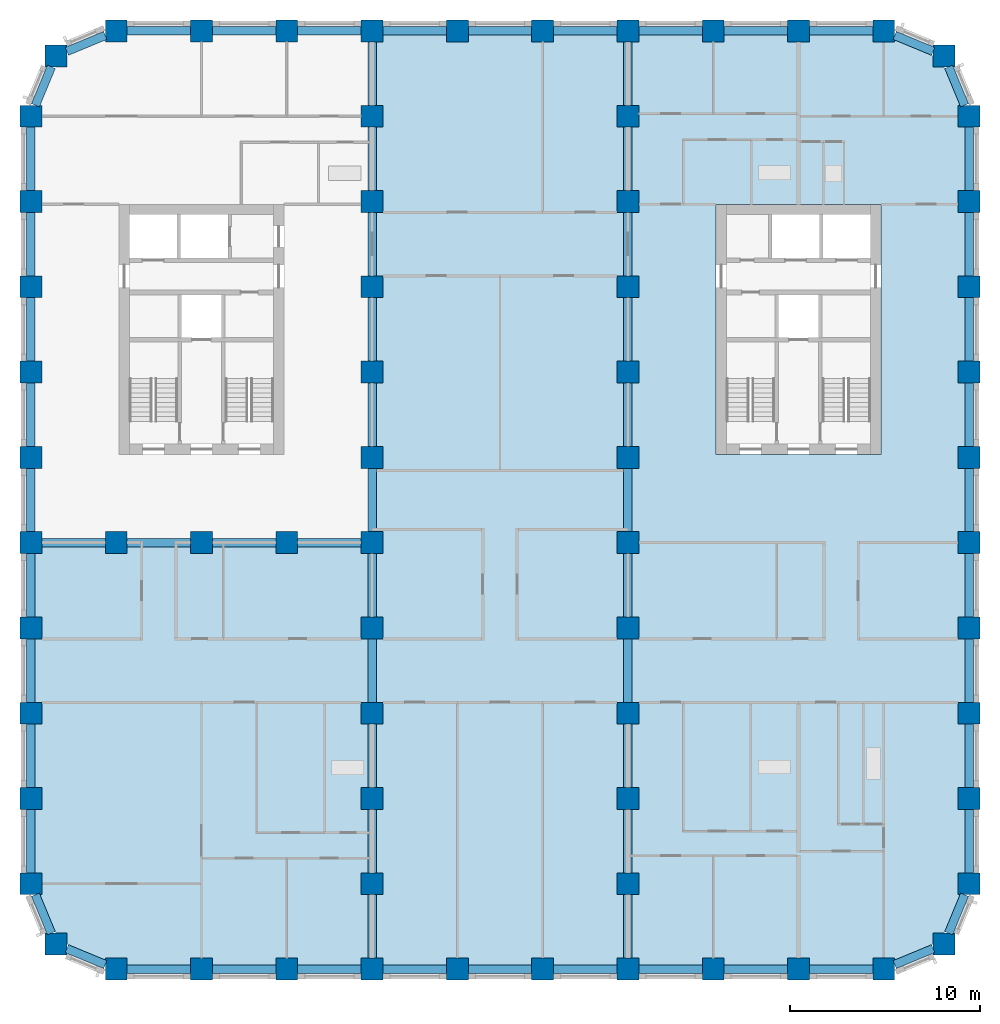
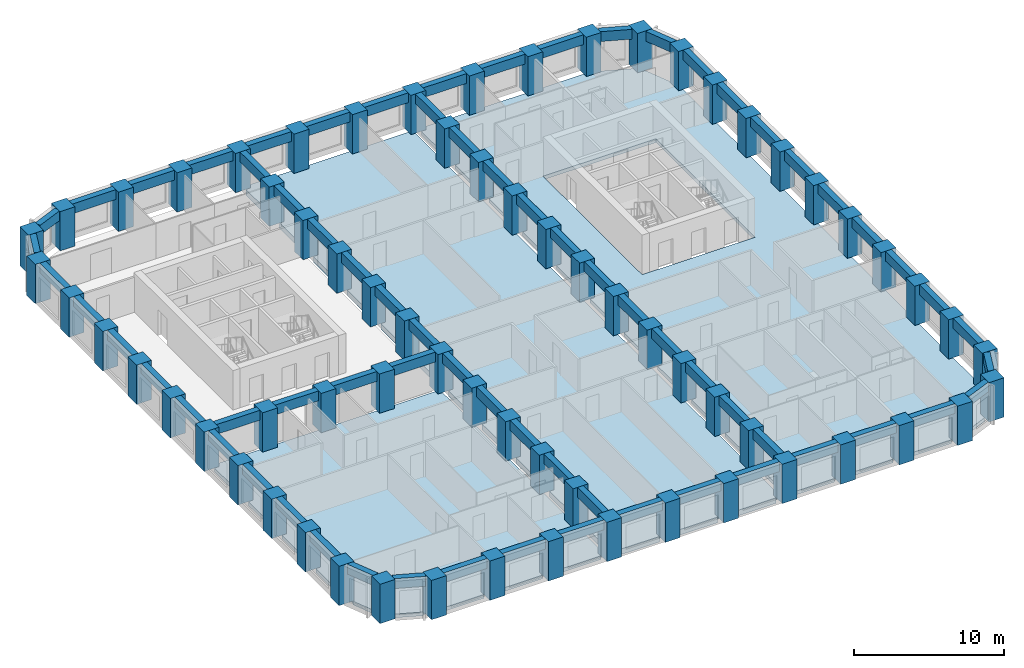
# One storey, part 1 of 12: 70 beams, 67 columns, 3 slabs.
"""IFC4 building model written with IfcOpenShell, lengths in metres."""

from ifc_helpers import new_model, si_unit, direction, frame, origin, origin_2d, place, context, subcontext, project, spatial, polyline, rectangle, outline, extrude, material, layer, layer_set, material_profile, profile_set, type_object, element, save


model = new_model("IFC4")

# Units and contexts
model_context = context("Model", 3, precision=1e-05, world=origin(), true_north=direction((0.0, 1.0)))
body_context = subcontext(model_context, "Body", "Model", "MODEL_VIEW")
ifc_project = project(units=[si_unit("LENGTHUNIT", "METRE"), si_unit("AREAUNIT", "SQUARE_METRE"), si_unit("VOLUMEUNIT", "CUBIC_METRE"), si_unit("PLANEANGLEUNIT", "RADIAN"), si_unit("MASSUNIT", "GRAM", prefix="KILO")], contexts=[model_context])

# Site, building, storey
site_placement = place(None, origin())
site = spatial("IfcSite", under=ifc_project, at=site_placement, CompositionType="ELEMENT")
building_placement = place(site_placement, origin())
building = spatial("IfcBuilding", under=site, at=building_placement, Name="Girih Gate Residences", CompositionType="ELEMENT")
storey_placement = place(building_placement, frame((0.0, 0.0, 121.60009765625)))
storey = spatial("IfcBuildingStorey", under=building, at=storey_placement, Name="L34", CompositionType="ELEMENT", Elevation=121.60009765625)

# Columns
ifc_material_1 = material(Name="Concrete C80/95", Category="concrete")
ifc_material_profile_1 = material_profile(ifc_material_1, rectangle(XDim=1.14990234375, YDim=1.14990234375, at=origin_2d()))
ifc_profile_set_1 = profile_set([ifc_material_profile_1], Name="Concrete C80/95")
column_type = type_object("IfcColumnType", Name="Pier RC 1150x1150 Concrete C80/95", PredefinedType="COLUMN", material=ifc_profile_set_1)
for number, where, z_axis, x_axis, name in (
    (1, (4.5, 0.0, 0.0), (0.0, 0.0, 1.0), (1.0, 0.0, 0.0), "Pier P2A L34"),
    (2, (9.0, 0.0, 0.0), (0.0, 0.0, 1.0), (1.0, 0.0, 0.0), "Pier P3A L34"),
    (3, (13.5, 0.0, 0.0), (0.0, 0.0, 1.0), (1.0, 0.0, 0.0), "Pier P4A L34"),
    (4, (18.0, 0.0, 0.0), (0.0, 0.0, 1.0), (1.0, 0.0, 0.0), "Pier P5A L34"),
    (5, (22.5, 0.0, 0.0), (0.0, 0.0, 1.0), (1.0, 0.0, 0.0), "Pier P6A L34"),
    (6, (27.0, 0.0, 0.0), (0.0, 0.0, 1.0), (1.0, 0.0, 0.0), "Pier P7A L34"),
    (7, (31.5, 0.0, 0.0), (0.0, 0.0, 1.0), (1.0, 0.0, 0.0), "Pier P8A L34"),
    (8, (36.0, 0.0, 0.0), (0.0, 0.0, 1.0), (1.0, 0.0, 0.0), "Pier P9A L34"),
    (9, (40.5, 0.0, 0.0), (0.0, 0.0, 1.0), (1.0, 0.0, 0.0), "Pier P10A L34"),
    (10, (45.0, 0.0, 0.0), (0.0, 0.0, 1.0), (1.0, 0.0, 0.0), "Pier P11A L34"),
    (11, (1.318115234375, 1.318115234375, 0.0), (0.0, 0.0, 1.0), (1.0, 0.0, 0.0), "Pier P1ANE L34"),
    (12, (48.181884765625, 1.318115234375, 0.0), (0.0, 0.0, 1.0), (1.0, 0.0, 0.0), "Pier P12ANW L34"),
    (13, (0.0, 4.5, 0.0), (0.0, 0.0, 1.0), (1.0, 0.0, 0.0), "Pier P1B L34"),
    (14, (18.0, 4.5, 0.0), (0.0, 0.0, 1.0), (1.0, 0.0, 0.0), "Pier P5B L34"),
    (15, (31.5, 4.5, 0.0), (0.0, 0.0, 1.0), (1.0, 0.0, 0.0), "Pier P8B L34"),
    (16, (49.5, 4.5, 0.0), (0.0, 0.0, 1.0), (1.0, 0.0, 0.0), "Pier P12B L34"),
    (17, (0.0, 9.0, 0.0), (0.0, 0.0, 1.0), (1.0, 0.0, 0.0), "Pier P1C L34"),
    (18, (18.0, 9.0, 0.0), (0.0, 0.0, 1.0), (1.0, 0.0, 0.0), "Pier P5C L34"),
    (19, (31.5, 9.0, 0.0), (0.0, 0.0, 1.0), (1.0, 0.0, 0.0), "Pier P8C L34"),
    (20, (49.5, 9.0, 0.0), (0.0, 0.0, 1.0), (1.0, 0.0, 0.0), "Pier P12C L34"),
    (21, (0.0, 13.5, 0.0), (0.0, 0.0, 1.0), (1.0, 0.0, 0.0), "Pier P1D L34"),
    (22, (18.0, 13.5, 0.0), (0.0, 0.0, 1.0), (1.0, 0.0, 0.0), "Pier P5D L34"),
    (23, (31.5, 13.5, 0.0), (0.0, 0.0, 1.0), (1.0, 0.0, 0.0), "Pier P8D L34"),
    (24, (49.5, 13.5, 0.0), (0.0, 0.0, 1.0), (1.0, 0.0, 0.0), "Pier P12D L34"),
    (25, (0.0, 18.0, 0.0), (0.0, 0.0, 1.0), (1.0, 0.0, 0.0), "Pier P1E L34"),
    (26, (18.0, 18.0, 0.0), (0.0, 0.0, 1.0), (1.0, 0.0, 0.0), "Pier P5E L34"),
    (27, (31.5, 18.0, 0.0), (0.0, 0.0, 1.0), (1.0, 0.0, 0.0), "Pier P8E L34"),
    (28, (49.5, 18.0, 0.0), (0.0, 0.0, 1.0), (1.0, 0.0, 0.0), "Pier P12E L34"),
    (29, (0.0, 22.5, 0.0), (0.0, 0.0, 1.0), (1.0, 0.0, 0.0), "Pier P1F L34"),
    (30, (4.5, 22.5, 0.0), (0.0, 0.0, 1.0), (1.0, 0.0, 0.0), "Pier P2F L34"),
    (31, (9.0, 22.5, 0.0), (0.0, 0.0, 1.0), (1.0, 0.0, 0.0), "Pier P3F L34"),
    (32, (13.5, 22.5, 0.0), (0.0, 0.0, 1.0), (1.0, 0.0, 0.0), "Pier P4F L34"),
    (33, (18.0, 22.5, 0.0), (0.0, 0.0, 1.0), (1.0, 0.0, 0.0), "Pier P5F L34"),
    (34, (31.5, 22.5, 0.0), (0.0, 0.0, 1.0), (1.0, 0.0, 0.0), "Pier P8F L34"),
    (35, (49.5, 22.5, 0.0), (0.0, 0.0, 1.0), (1.0, 0.0, 0.0), "Pier P12F L34"),
    (36, (0.0, 27.0, 0.0), (0.0, 0.0, 1.0), (1.0, 0.0, 0.0), "Pier P1G L34"),
    (37, (18.0, 27.0, 0.0), (0.0, 0.0, 1.0), (1.0, 0.0, 0.0), "Pier P5G L34"),
    (38, (31.5, 27.0, 0.0), (0.0, 0.0, 1.0), (1.0, 0.0, 0.0), "Pier P8G L34"),
    (39, (49.5, 27.0, 0.0), (0.0, 0.0, 1.0), (1.0, 0.0, 0.0), "Pier P12G L34"),
    (40, (0.0, 31.5, 0.0), (0.0, 0.0, 1.0), (1.0, 0.0, 0.0), "Pier P1H L34"),
    (41, (18.0, 31.5, 0.0), (0.0, 0.0, 1.0), (1.0, 0.0, 0.0), "Pier P5H L34"),
    (42, (31.5, 31.5, 0.0), (0.0, 0.0, 1.0), (1.0, 0.0, 0.0), "Pier P8H L34"),
    (43, (49.5, 31.5, 0.0), (0.0, 0.0, 1.0), (1.0, 0.0, 0.0), "Pier P12H L34"),
    (44, (0.0, 36.0, 0.0), (0.0, 0.0, 1.0), (1.0, 0.0, 0.0), "Pier P1I L34"),
    (45, (18.0, 36.0, 0.0), (0.0, 0.0, 1.0), (1.0, 0.0, 0.0), "Pier P5I L34"),
    (46, (31.5, 36.0, 0.0), (0.0, 0.0, 1.0), (1.0, 0.0, 0.0), "Pier P8I L34"),
    (47, (49.5, 36.0, 0.0), (0.0, 0.0, 1.0), (1.0, 0.0, 0.0), "Pier P12I L34"),
    (48, (0.0, 40.5, 0.0), (0.0, 0.0, 1.0), (1.0, 0.0, 0.0), "Pier P1J L34"),
    (49, (18.0, 40.5, 0.0), (0.0, 0.0, 1.0), (1.0, 0.0, 0.0), "Pier P5J L34"),
    (50, (31.5, 40.5, 0.0), (0.0, 0.0, 1.0), (1.0, 0.0, 0.0), "Pier P8J L34"),
    (51, (49.5, 40.5, 0.0), (0.0, 0.0, 1.0), (1.0, 0.0, 0.0), "Pier P12J L34"),
    (52, (0.0, 45.0, 0.0), (0.0, 0.0, 1.0), (1.0, 0.0, 0.0), "Pier P1K L34"),
    (53, (18.0, 45.0, 0.0), (0.0, 0.0, 1.0), (1.0, 0.0, 0.0), "Pier P5K L34"),
    (54, (31.5, 45.0, 0.0), (0.0, 0.0, 1.0), (1.0, 0.0, 0.0), "Pier P8K L34"),
    (55, (49.5, 45.0, 0.0), (0.0, 0.0, 1.0), (1.0, 0.0, 0.0), "Pier P12K L34"),
    (56, (1.318115234375, 48.181884765625, 0.0), (0.0, 0.0, 1.0), (1.0, 0.0, 0.0), "Pier P1LSE L34"),
    (57, (48.181884765625, 48.181884765625, 0.0), (0.0, 0.0, 1.0), (1.0, 0.0, 0.0), "Pier P12LSW L34"),
    (58, (4.5, 49.5, 0.0), (0.0, 0.0, 1.0), (1.0, 0.0, 0.0), "Pier P2L L34"),
    (59, (9.0, 49.5, 0.0), (0.0, 0.0, 1.0), (1.0, 0.0, 0.0), "Pier P3L L34"),
    (60, (13.5, 49.5, 0.0), (0.0, 0.0, 1.0), (1.0, 0.0, 0.0), "Pier P4L L34"),
    (61, (18.0, 49.5, 0.0), (0.0, 0.0, 1.0), (1.0, 0.0, 0.0), "Pier P5L L34"),
    (62, (22.5, 49.5, 0.0), (0.0, 0.0, 1.0), (1.0, 0.0, 0.0), "Pier P6L L34"),
    (63, (27.0, 49.5, 0.0), (0.0, 0.0, 1.0), (1.0, 0.0, 0.0), "Pier P7L L34"),
    (64, (31.5, 49.5, 0.0), (0.0, 0.0, 1.0), (1.0, 0.0, 0.0), "Pier P8L L34"),
    (65, (36.0, 49.5, 0.0), (0.0, 0.0, 1.0), (1.0, 0.0, 0.0), "Pier P9L L34"),
    (66, (40.5, 49.5, 0.0), (0.0, 0.0, 1.0), (1.0, 0.0, 0.0), "Pier P10L L34"),
    (67, (45.0, 49.5, 0.0), (0.0, 0.0, 1.0), (1.0, 0.0, 0.0), "Pier P11L L34"),
):
    element("IfcColumn", number, at=place(storey_placement, frame(where, z_axis=z_axis, x_axis=x_axis)), inside=storey, type_object=column_type, Name=name, PredefinedType="COLUMN", context=body_context, shape_type="SweptSolid", body=[
        extrude(rectangle(XDim=1.14990234375, YDim=1.14990234375, at=origin_2d()), origin(), (0.0, 0.0, 1.0), 3.199951171875),
    ])

# Beams
ifc_material_2 = material(Name="Concrete C60/75", Category="concrete")
ifc_material_profile_2 = material_profile(ifc_material_2, rectangle(XDim=0.449951171875, YDim=0.800048828125, at=origin_2d()))
ifc_profile_set_2 = profile_set([ifc_material_profile_2], Name="Concrete C60/75")
beam_type = type_object("IfcBeamType", Name="Spandrel girder RC 450x800 Concrete C60/75", PredefinedType="BEAM", material=ifc_profile_set_2)
for number, where, z_axis, x_axis, name in (
    (68, (0.23828125, 3.925048828125, 2.7998046875), (0.382636106589, -0.92389913407, 0.0), (0.92389913407, 0.382636106589, 0.0), "Spandrel girder SP-P1B-P1ANE L34"),
    (69, (1.89306640625, 1.079833984375, 2.7998046875), (0.92389913407, -0.382636106589, 0.0), (0.382636106589, 0.92389913407, 0.0), "Spandrel girder SP-P1ANE-P2A L34"),
):
    element("IfcBeam", number, at=place(storey_placement, frame(where, z_axis=z_axis, x_axis=x_axis)), inside=storey, type_object=beam_type, Name=name, PredefinedType="BEAM", context=body_context, shape_type="SweptSolid", body=[
        extrude(rectangle(XDim=0.449951171875, YDim=0.800048828125, at=origin_2d()), origin(), (0.0, 0.0, 1.0), 2.199462890625),
    ])
for number, where, z_axis, x_axis, name in (
    (70, (5.074951171875, 0.0, 2.7998046875), (1.0, 0.0, 0.0), (0.0, 1.0, 0.0), "Spandrel girder SP-P2A-P3A L34"),
    (71, (9.574951171875, 0.0, 2.7998046875), (1.0, 0.0, 0.0), (0.0, 1.0, 0.0), "Spandrel girder SP-P3A-P4A L34"),
    (72, (14.074951171875, 0.0, 2.7998046875), (1.0, 0.0, 0.0), (0.0, 1.0, 0.0), "Spandrel girder SP-P4A-P5A L34"),
    (73, (18.574951171875, 0.0, 2.7998046875), (1.0, 0.0, 0.0), (0.0, 1.0, 0.0), "Spandrel girder SP-P5A-P6A L34"),
    (74, (23.074951171875, 0.0, 2.7998046875), (1.0, 0.0, 0.0), (0.0, 1.0, 0.0), "Spandrel girder SP-P6A-P7A L34"),
    (75, (27.574951171875, 0.0, 2.7998046875), (1.0, 0.0, 0.0), (0.0, 1.0, 0.0), "Spandrel girder SP-P7A-P8A L34"),
    (76, (32.074951171875, 0.0, 2.7998046875), (1.0, 0.0, 0.0), (0.0, 1.0, 0.0), "Spandrel girder SP-P8A-P9A L34"),
    (77, (36.574951171875, 0.0, 2.7998046875), (1.0, 0.0, 0.0), (0.0, 1.0, 0.0), "Spandrel girder SP-P9A-P10A L34"),
    (78, (41.074951171875, 0.0, 2.7998046875), (1.0, 0.0, 0.0), (0.0, 1.0, 0.0), "Spandrel girder SP-P10A-P11A L34"),
):
    element("IfcBeam", number, at=place(storey_placement, frame(where, z_axis=z_axis, x_axis=x_axis)), inside=storey, type_object=beam_type, Name=name, PredefinedType="BEAM", context=body_context, shape_type="SweptSolid", body=[
        extrude(rectangle(XDim=0.449951171875, YDim=0.800048828125, at=origin_2d()), origin(), (0.0, 0.0, 1.0), 3.35009765625),
    ])
for number, where, z_axis, x_axis, name in (
    (79, (45.574951171875, 0.23828125, 2.7998046875), (0.92389913407, 0.382636106589, 0.0), (-0.382636106589, 0.92389913407, 0.0), "Spandrel girder SP-P11A-P12ANW L34"),
    (80, (48.420166015625, 1.89306640625, 2.7998046875), (0.382636106589, 0.92389913407, 0.0), (-0.92389913407, 0.382636106589, 0.0), "Spandrel girder SP-P12ANW-P12B L34"),
):
    element("IfcBeam", number, at=place(storey_placement, frame(where, z_axis=z_axis, x_axis=x_axis)), inside=storey, type_object=beam_type, Name=name, PredefinedType="BEAM", context=body_context, shape_type="SweptSolid", body=[
        extrude(rectangle(XDim=0.449951171875, YDim=0.800048828125, at=origin_2d()), origin(), (0.0, 0.0, 1.0), 2.199462890625),
    ])
for number, where, z_axis, x_axis, name in (
    (81, (49.5, 5.074951171875, 2.7998046875), (0.0, 1.0, 0.0), (-1.0, 0.0, 0.0), "Spandrel girder SP-P12B-P12C L34"),
    (82, (49.5, 9.574951171875, 2.7998046875), (0.0, 1.0, 0.0), (-1.0, 0.0, 0.0), "Spandrel girder SP-P12C-P12D L34"),
    (83, (49.5, 14.074951171875, 2.7998046875), (0.0, 1.0, 0.0), (-1.0, 0.0, 0.0), "Spandrel girder SP-P12D-P12E L34"),
    (84, (49.5, 18.574951171875, 2.7998046875), (0.0, 1.0, 0.0), (-1.0, 0.0, 0.0), "Spandrel girder SP-P12E-P12F L34"),
    (85, (49.5, 23.074951171875, 2.7998046875), (0.0, 1.0, 0.0), (-1.0, 0.0, 0.0), "Spandrel girder SP-P12F-P12G L34"),
    (86, (49.5, 27.574951171875, 2.7998046875), (0.0, 1.0, 0.0), (-1.0, 0.0, 0.0), "Spandrel girder SP-P12G-P12H L34"),
    (87, (49.5, 32.074951171875, 2.7998046875), (0.0, 1.0, 0.0), (-1.0, 0.0, 0.0), "Spandrel girder SP-P12H-P12I L34"),
    (88, (49.5, 36.574951171875, 2.7998046875), (0.0, 1.0, 0.0), (-1.0, 0.0, 0.0), "Spandrel girder SP-P12I-P12J L34"),
    (89, (49.5, 41.074951171875, 2.7998046875), (0.0, 1.0, 0.0), (-1.0, 0.0, 0.0), "Spandrel girder SP-P12J-P12K L34"),
):
    element("IfcBeam", number, at=place(storey_placement, frame(where, z_axis=z_axis, x_axis=x_axis)), inside=storey, type_object=beam_type, Name=name, PredefinedType="BEAM", context=body_context, shape_type="SweptSolid", body=[
        extrude(rectangle(XDim=0.449951171875, YDim=0.800048828125, at=origin_2d()), origin(), (0.0, 0.0, 1.0), 3.35009765625),
    ])
for number, where, z_axis, x_axis, name in (
    (90, (49.26171875, 45.574951171875, 2.7998046875), (-0.382636106589, 0.92389913407, 0.0), (-0.92389913407, -0.382636106589, 0.0), "Spandrel girder SP-P12K-P12LSW L34"),
    (91, (47.60693359375, 48.420166015625, 2.7998046875), (-0.92389913407, 0.382636106589, 0.0), (-0.382636106589, -0.92389913407, 0.0), "Spandrel girder SP-P12LSW-P11L L34"),
):
    element("IfcBeam", number, at=place(storey_placement, frame(where, z_axis=z_axis, x_axis=x_axis)), inside=storey, type_object=beam_type, Name=name, PredefinedType="BEAM", context=body_context, shape_type="SweptSolid", body=[
        extrude(rectangle(XDim=0.449951171875, YDim=0.800048828125, at=origin_2d()), origin(), (0.0, 0.0, 1.0), 2.199462890625),
    ])
for number, where, z_axis, x_axis, name in (
    (92, (44.425048828125, 49.5, 2.7998046875), (-1.0, 0.0, 0.0), (0.0, -1.0, 0.0), "Spandrel girder SP-P11L-P10L L34"),
    (93, (39.925048828125, 49.5, 2.7998046875), (-1.0, 0.0, 0.0), (0.0, -1.0, 0.0), "Spandrel girder SP-P10L-P9L L34"),
    (94, (35.425048828125, 49.5, 2.7998046875), (-1.0, 0.0, 0.0), (0.0, -1.0, 0.0), "Spandrel girder SP-P9L-P8L L34"),
    (95, (30.925048828125, 49.5, 2.7998046875), (-1.0, 0.0, 0.0), (0.0, -1.0, 0.0), "Spandrel girder SP-P8L-P7L L34"),
    (96, (26.425048828125, 49.5, 2.7998046875), (-1.0, 0.0, 0.0), (0.0, -1.0, 0.0), "Spandrel girder SP-P7L-P6L L34"),
    (97, (21.925048828125, 49.5, 2.7998046875), (-1.0, 0.0, 0.0), (0.0, -1.0, 0.0), "Spandrel girder SP-P6L-P5L L34"),
    (98, (17.425048828125, 49.5, 2.7998046875), (-1.0, 0.0, 0.0), (0.0, -1.0, 0.0), "Spandrel girder SP-P5L-P4L L34"),
    (99, (12.925048828125, 49.5, 2.7998046875), (-1.0, 0.0, 0.0), (0.0, -1.0, 0.0), "Spandrel girder SP-P4L-P3L L34"),
    (100, (8.425048828125, 49.5, 2.7998046875), (-1.0, 0.0, 0.0), (0.0, -1.0, 0.0), "Spandrel girder SP-P3L-P2L L34"),
):
    element("IfcBeam", number, at=place(storey_placement, frame(where, z_axis=z_axis, x_axis=x_axis)), inside=storey, type_object=beam_type, Name=name, PredefinedType="BEAM", context=body_context, shape_type="SweptSolid", body=[
        extrude(rectangle(XDim=0.449951171875, YDim=0.800048828125, at=origin_2d()), origin(), (0.0, 0.0, 1.0), 3.35009765625),
    ])
for number, where, z_axis, x_axis, name in (
    (101, (3.925048828125, 49.26171875, 2.7998046875), (-0.92389913407, -0.382636106589, 0.0), (0.382636106589, -0.92389913407, 0.0), "Spandrel girder SP-P2L-P1LSE L34"),
    (102, (1.079833984375, 47.60693359375, 2.7998046875), (-0.382636106589, -0.92389913407, 0.0), (0.92389913407, -0.382636106589, 0.0), "Spandrel girder SP-P1LSE-P1K L34"),
):
    element("IfcBeam", number, at=place(storey_placement, frame(where, z_axis=z_axis, x_axis=x_axis)), inside=storey, type_object=beam_type, Name=name, PredefinedType="BEAM", context=body_context, shape_type="SweptSolid", body=[
        extrude(rectangle(XDim=0.449951171875, YDim=0.800048828125, at=origin_2d()), origin(), (0.0, 0.0, 1.0), 2.199462890625),
    ])
for number, where, z_axis, x_axis, name in (
    (103, (0.0, 44.425048828125, 2.7998046875), (0.0, -1.0, 0.0), (1.0, 0.0, 0.0), "Spandrel girder SP-P1K-P1J L34"),
    (104, (0.0, 39.925048828125, 2.7998046875), (0.0, -1.0, 0.0), (1.0, 0.0, 0.0), "Spandrel girder SP-P1J-P1I L34"),
    (105, (0.0, 35.425048828125, 2.7998046875), (0.0, -1.0, 0.0), (1.0, 0.0, 0.0), "Spandrel girder SP-P1I-P1H L34"),
    (106, (0.0, 30.925048828125, 2.7998046875), (0.0, -1.0, 0.0), (1.0, 0.0, 0.0), "Spandrel girder SP-P1H-P1G L34"),
    (107, (0.0, 26.425048828125, 2.7998046875), (0.0, -1.0, 0.0), (1.0, 0.0, 0.0), "Spandrel girder SP-P1G-P1F L34"),
    (108, (0.0, 21.925048828125, 2.7998046875), (0.0, -1.0, 0.0), (1.0, 0.0, 0.0), "Spandrel girder SP-P1F-P1E L34"),
    (109, (0.0, 17.425048828125, 2.7998046875), (0.0, -1.0, 0.0), (1.0, 0.0, 0.0), "Spandrel girder SP-P1E-P1D L34"),
    (110, (0.0, 12.925048828125, 2.7998046875), (0.0, -1.0, 0.0), (1.0, 0.0, 0.0), "Spandrel girder SP-P1D-P1C L34"),
    (111, (0.0, 8.425048828125, 2.7998046875), (0.0, -1.0, 0.0), (1.0, 0.0, 0.0), "Spandrel girder SP-P1C-P1B L34"),
    (112, (18.0, 0.574951171875, 2.7998046875), (0.0, 1.0, 0.0), (-1.0, 0.0, 0.0), "Spandrel girder SP-P5A-P5B L34"),
    (113, (18.0, 5.074951171875, 2.7998046875), (0.0, 1.0, 0.0), (-1.0, 0.0, 0.0), "Spandrel girder SP-P5B-P5C L34"),
    (114, (18.0, 9.574951171875, 2.7998046875), (0.0, 1.0, 0.0), (-1.0, 0.0, 0.0), "Spandrel girder SP-P5C-P5D L34"),
    (115, (18.0, 14.074951171875, 2.7998046875), (0.0, 1.0, 0.0), (-1.0, 0.0, 0.0), "Spandrel girder SP-P5D-P5E L34"),
    (116, (18.0, 18.574951171875, 2.7998046875), (0.0, 1.0, 0.0), (-1.0, 0.0, 0.0), "Spandrel girder SP-P5E-P5F L34"),
    (117, (18.0, 23.074951171875, 2.7998046875), (0.0, 1.0, 0.0), (-1.0, 0.0, 0.0), "Spandrel girder SP-P5F-P5G L34"),
    (118, (18.0, 27.574951171875, 2.7998046875), (0.0, 1.0, 0.0), (-1.0, 0.0, 0.0), "Spandrel girder SP-P5G-P5H L34"),
    (119, (18.0, 32.074951171875, 2.7998046875), (0.0, 1.0, 0.0), (-1.0, 0.0, 0.0), "Spandrel girder SP-P5H-P5I L34"),
    (120, (18.0, 36.574951171875, 2.7998046875), (0.0, 1.0, 0.0), (-1.0, 0.0, 0.0), "Spandrel girder SP-P5I-P5J L34"),
    (121, (18.0, 41.074951171875, 2.7998046875), (0.0, 1.0, 0.0), (-1.0, 0.0, 0.0), "Spandrel girder SP-P5J-P5K L34"),
    (122, (18.0, 45.574951171875, 2.7998046875), (0.0, 1.0, 0.0), (-1.0, 0.0, 0.0), "Spandrel girder SP-P5K-P5L L34"),
    (123, (31.5, 0.574951171875, 2.7998046875), (0.0, 1.0, 0.0), (-1.0, 0.0, 0.0), "Spandrel girder SP-P8A-P8B L34"),
    (124, (31.5, 5.074951171875, 2.7998046875), (0.0, 1.0, 0.0), (-1.0, 0.0, 0.0), "Spandrel girder SP-P8B-P8C L34"),
    (125, (31.5, 9.574951171875, 2.7998046875), (0.0, 1.0, 0.0), (-1.0, 0.0, 0.0), "Spandrel girder SP-P8C-P8D L34"),
    (126, (31.5, 14.074951171875, 2.7998046875), (0.0, 1.0, 0.0), (-1.0, 0.0, 0.0), "Spandrel girder SP-P8D-P8E L34"),
    (127, (31.5, 18.574951171875, 2.7998046875), (0.0, 1.0, 0.0), (-1.0, 0.0, 0.0), "Spandrel girder SP-P8E-P8F L34"),
    (128, (31.5, 23.074951171875, 2.7998046875), (0.0, 1.0, 0.0), (-1.0, 0.0, 0.0), "Spandrel girder SP-P8F-P8G L34"),
    (129, (31.5, 27.574951171875, 2.7998046875), (0.0, 1.0, 0.0), (-1.0, 0.0, 0.0), "Spandrel girder SP-P8G-P8H L34"),
    (130, (31.5, 32.074951171875, 2.7998046875), (0.0, 1.0, 0.0), (-1.0, 0.0, 0.0), "Spandrel girder SP-P8H-P8I L34"),
    (131, (31.5, 36.574951171875, 2.7998046875), (0.0, 1.0, 0.0), (-1.0, 0.0, 0.0), "Spandrel girder SP-P8I-P8J L34"),
    (132, (31.5, 41.074951171875, 2.7998046875), (0.0, 1.0, 0.0), (-1.0, 0.0, 0.0), "Spandrel girder SP-P8J-P8K L34"),
    (133, (31.5, 45.574951171875, 2.7998046875), (0.0, 1.0, 0.0), (-1.0, 0.0, 0.0), "Spandrel girder SP-P8K-P8L L34"),
    (134, (0.574951171875, 22.5, 2.7998046875), (1.0, 0.0, 0.0), (0.0, 1.0, 0.0), "Spandrel girder SP-P1F-P2F L34"),
    (135, (5.074951171875, 22.5, 2.7998046875), (1.0, 0.0, 0.0), (0.0, 1.0, 0.0), "Spandrel girder SP-P2F-P3F L34"),
    (136, (9.574951171875, 22.5, 2.7998046875), (1.0, 0.0, 0.0), (0.0, 1.0, 0.0), "Spandrel girder SP-P3F-P4F L34"),
    (137, (14.074951171875, 22.5, 2.7998046875), (1.0, 0.0, 0.0), (0.0, 1.0, 0.0), "Spandrel girder SP-P4F-P5F L34"),
):
    element("IfcBeam", number, at=place(storey_placement, frame(where, z_axis=z_axis, x_axis=x_axis)), inside=storey, type_object=beam_type, Name=name, PredefinedType="BEAM", context=body_context, shape_type="SweptSolid", body=[
        extrude(rectangle(XDim=0.449951171875, YDim=0.800048828125, at=origin_2d()), origin(), (0.0, 0.0, 1.0), 3.35009765625),
    ])

# Slabs
ifc_material_3 = material(Name="Concrete C40/50", Category="concrete")
ifc_layer_1 = layer(ifc_material_3, 0.300048828125)
ifc_layer_set_1 = layer_set([ifc_layer_1], Name="Floor slab PT 300 Concrete C40/50")
slab_type_1 = type_object("IfcSlabType", Name="Floor slab PT 300 Concrete C40/50", PredefinedType="FLOOR", material=ifc_layer_set_1)
slab_1_placement = place(storey_placement, frame((0.0, 0.0, -0.300048828125)))
element("IfcSlab", 138, at=slab_1_placement, inside=storey, type_object=slab_type_1, Name="Floor slab L34 0", PredefinedType="FLOOR", context=body_context, shape_type="SweptSolid", body=[
    extrude(outline(polyline([(0.22509765625, 8.425048828125), (0.22509765625, 5.074951171875), (0.574951171875, 5.074951171875), (0.574951171875, 3.925048828125), (0.481689453125, 3.925048828125), (1.323486328125, 1.89306640625), (1.89306640625, 1.89306640625), (1.89306640625, 1.323486328125), (3.925048828125, 0.481689453125), (3.925048828125, 0.574951171875), (5.074951171875, 0.574951171875), (5.074951171875, 0.22509765625), (8.425048828125, 0.22509765625), (8.425048828125, 0.574951171875), (9.574951171875, 0.574951171875), (9.574951171875, 0.22509765625), (12.925048828125, 0.22509765625), (12.925048828125, 0.574951171875), (14.074951171875, 0.574951171875), (14.074951171875, 0.22509765625), (17.425048828125, 0.22509765625), (17.425048828125, 0.574951171875), (17.77490234375, 0.574951171875), (17.77490234375, 3.925048828125), (17.425048828125, 3.925048828125), (17.425048828125, 5.074951171875), (17.77490234375, 5.074951171875), (17.77490234375, 8.425048828125), (17.425048828125, 8.425048828125), (17.425048828125, 9.574951171875), (17.77490234375, 9.574951171875), (17.77490234375, 12.925048828125), (17.425048828125, 12.925048828125), (17.425048828125, 14.074951171875), (17.77490234375, 14.074951171875), (17.77490234375, 17.425048828125), (17.425048828125, 17.425048828125), (17.425048828125, 18.574951171875), (17.77490234375, 18.574951171875), (17.77490234375, 21.925048828125), (17.425048828125, 21.925048828125), (17.425048828125, 22.27490234375), (14.074951171875, 22.27490234375), (14.074951171875, 21.925048828125), (12.925048828125, 21.925048828125), (12.925048828125, 22.27490234375), (9.574951171875, 22.27490234375), (9.574951171875, 21.925048828125), (8.425048828125, 21.925048828125), (8.425048828125, 22.27490234375), (5.074951171875, 22.27490234375), (5.074951171875, 21.925048828125), (3.925048828125, 21.925048828125), (3.925048828125, 22.27490234375), (0.574951171875, 22.27490234375), (0.574951171875, 21.925048828125), (0.22509765625, 21.925048828125), (0.22509765625, 18.574951171875), (0.574951171875, 18.574951171875), (0.574951171875, 17.425048828125), (0.22509765625, 17.425048828125), (0.22509765625, 14.074951171875), (0.574951171875, 14.074951171875), (0.574951171875, 12.925048828125), (0.22509765625, 12.925048828125), (0.22509765625, 9.574951171875), (0.574951171875, 9.574951171875), (0.574951171875, 8.425048828125), (0.22509765625, 8.425048828125)])), origin(), (0.0, 0.0, 1.0), 0.300048828125),
])
slab_2_placement = place(storey_placement, frame((0.0, 0.0, -0.300048828125)))
element("IfcSlab", 139, at=slab_2_placement, inside=storey, type_object=slab_type_1, Name="Floor slab L34 1", PredefinedType="FLOOR", context=body_context, shape_type="SweptSolid", body=[
    extrude(outline(polyline([(35.425048828125, 49.27490234375), (32.074951171875, 49.27490234375), (32.074951171875, 48.925048828125), (31.72509765625, 48.925048828125), (31.72509765625, 45.574951171875), (32.074951171875, 45.574951171875), (32.074951171875, 44.425048828125), (31.72509765625, 44.425048828125), (31.72509765625, 41.074951171875), (32.074951171875, 41.074951171875), (32.074951171875, 39.925048828125), (31.72509765625, 39.925048828125), (31.72509765625, 36.574951171875), (32.074951171875, 36.574951171875), (32.074951171875, 35.425048828125), (31.72509765625, 35.425048828125), (31.72509765625, 32.074951171875), (32.074951171875, 32.074951171875), (32.074951171875, 30.925048828125), (31.72509765625, 30.925048828125), (31.72509765625, 27.574951171875), (32.074951171875, 27.574951171875), (32.074951171875, 26.425048828125), (31.72509765625, 26.425048828125), (31.72509765625, 23.074951171875), (32.074951171875, 23.074951171875), (32.074951171875, 21.925048828125), (31.72509765625, 21.925048828125), (31.72509765625, 18.574951171875), (32.074951171875, 18.574951171875), (32.074951171875, 17.425048828125), (31.72509765625, 17.425048828125), (31.72509765625, 14.074951171875), (32.074951171875, 14.074951171875), (32.074951171875, 12.925048828125), (31.72509765625, 12.925048828125), (31.72509765625, 9.574951171875), (32.074951171875, 9.574951171875), (32.074951171875, 8.425048828125), (31.72509765625, 8.425048828125), (31.72509765625, 5.074951171875), (32.074951171875, 5.074951171875), (32.074951171875, 3.925048828125), (31.72509765625, 3.925048828125), (31.72509765625, 0.574951171875), (32.074951171875, 0.574951171875), (32.074951171875, 0.22509765625), (35.425048828125, 0.22509765625), (35.425048828125, 0.574951171875), (36.574951171875, 0.574951171875), (36.574951171875, 0.22509765625), (39.925048828125, 0.22509765625), (39.925048828125, 0.574951171875), (41.074951171875, 0.574951171875), (41.074951171875, 0.22509765625), (44.425048828125, 0.22509765625), (44.425048828125, 0.574951171875), (45.574951171875, 0.574951171875), (45.574951171875, 0.481689453125), (47.60693359375, 1.323486328125), (47.60693359375, 1.89306640625), (48.176513671875, 1.89306640625), (49.018310546875, 3.925048828125), (48.925048828125, 3.925048828125), (48.925048828125, 5.074951171875), (49.27490234375, 5.074951171875), (49.27490234375, 8.425048828125), (48.925048828125, 8.425048828125), (48.925048828125, 9.574951171875), (49.27490234375, 9.574951171875), (49.27490234375, 12.925048828125), (48.925048828125, 12.925048828125), (48.925048828125, 14.074951171875), (49.27490234375, 14.074951171875), (49.27490234375, 17.425048828125), (48.925048828125, 17.425048828125), (48.925048828125, 18.574951171875), (49.27490234375, 18.574951171875), (49.27490234375, 21.925048828125), (48.925048828125, 21.925048828125), (48.925048828125, 23.074951171875), (49.27490234375, 23.074951171875), (49.27490234375, 26.425048828125), (48.925048828125, 26.425048828125), (48.925048828125, 27.574951171875), (49.27490234375, 27.574951171875), (49.27490234375, 30.925048828125), (48.925048828125, 30.925048828125), (48.925048828125, 32.074951171875), (49.27490234375, 32.074951171875), (49.27490234375, 35.425048828125), (48.925048828125, 35.425048828125), (48.925048828125, 36.574951171875), (49.27490234375, 36.574951171875), (49.27490234375, 39.925048828125), (48.925048828125, 39.925048828125), (48.925048828125, 41.074951171875), (49.27490234375, 41.074951171875), (49.27490234375, 44.425048828125), (48.925048828125, 44.425048828125), (48.925048828125, 45.574951171875), (49.018310546875, 45.574951171875), (48.176513671875, 47.60693359375), (47.60693359375, 47.60693359375), (47.60693359375, 48.176513671875), (45.574951171875, 49.018310546875), (45.574951171875, 48.925048828125), (44.425048828125, 48.925048828125), (44.425048828125, 49.27490234375), (41.074951171875, 49.27490234375), (41.074951171875, 48.925048828125), (39.925048828125, 48.925048828125), (39.925048828125, 49.27490234375), (36.574951171875, 49.27490234375), (36.574951171875, 48.925048828125), (35.425048828125, 48.925048828125), (35.425048828125, 49.27490234375)]), holes=[polyline([(44.85009765625, 40.35009765625), (44.85009765625, 27.14990234375), (36.14990234375, 27.14990234375), (36.14990234375, 40.35009765625), (44.85009765625, 40.35009765625)])]), origin(), (0.0, 0.0, 1.0), 0.300048828125),
])
ifc_layer_2 = layer(ifc_material_3, 0.449951171875)
ifc_layer_set_2 = layer_set([ifc_layer_2], Name="Floor slab PT 450 Concrete C40/50")
slab_type_2 = type_object("IfcSlabType", Name="Floor slab PT 450 Concrete C40/50", PredefinedType="FLOOR", material=ifc_layer_set_2)
slab_3_placement = place(storey_placement, frame((0.0, 0.0, -0.4501953125)))
element("IfcSlab", 140, at=slab_3_placement, inside=storey, type_object=slab_type_2, Name="Floor slab L34 2", PredefinedType="FLOOR", context=body_context, shape_type="SweptSolid", body=[
    extrude(outline(polyline([(21.925048828125, 49.27490234375), (18.574951171875, 49.27490234375), (18.574951171875, 48.925048828125), (18.22509765625, 48.925048828125), (18.22509765625, 45.574951171875), (18.574951171875, 45.574951171875), (18.574951171875, 44.425048828125), (18.22509765625, 44.425048828125), (18.22509765625, 41.074951171875), (18.574951171875, 41.074951171875), (18.574951171875, 39.925048828125), (18.22509765625, 39.925048828125), (18.22509765625, 36.574951171875), (18.574951171875, 36.574951171875), (18.574951171875, 35.425048828125), (18.22509765625, 35.425048828125), (18.22509765625, 32.074951171875), (18.574951171875, 32.074951171875), (18.574951171875, 30.925048828125), (18.22509765625, 30.925048828125), (18.22509765625, 27.574951171875), (18.574951171875, 27.574951171875), (18.574951171875, 26.425048828125), (18.22509765625, 26.425048828125), (18.22509765625, 23.074951171875), (18.574951171875, 23.074951171875), (18.574951171875, 21.925048828125), (18.22509765625, 21.925048828125), (18.22509765625, 18.574951171875), (18.574951171875, 18.574951171875), (18.574951171875, 17.425048828125), (18.22509765625, 17.425048828125), (18.22509765625, 14.074951171875), (18.574951171875, 14.074951171875), (18.574951171875, 12.925048828125), (18.22509765625, 12.925048828125), (18.22509765625, 9.574951171875), (18.574951171875, 9.574951171875), (18.574951171875, 8.425048828125), (18.22509765625, 8.425048828125), (18.22509765625, 5.074951171875), (18.574951171875, 5.074951171875), (18.574951171875, 3.925048828125), (18.22509765625, 3.925048828125), (18.22509765625, 0.574951171875), (18.574951171875, 0.574951171875), (18.574951171875, 0.22509765625), (21.925048828125, 0.22509765625), (21.925048828125, 0.574951171875), (23.074951171875, 0.574951171875), (23.074951171875, 0.22509765625), (26.425048828125, 0.22509765625), (26.425048828125, 0.574951171875), (27.574951171875, 0.574951171875), (27.574951171875, 0.22509765625), (30.925048828125, 0.22509765625), (30.925048828125, 0.574951171875), (31.27490234375, 0.574951171875), (31.27490234375, 3.925048828125), (30.925048828125, 3.925048828125), (30.925048828125, 5.074951171875), (31.27490234375, 5.074951171875), (31.27490234375, 8.425048828125), (30.925048828125, 8.425048828125), (30.925048828125, 9.574951171875), (31.27490234375, 9.574951171875), (31.27490234375, 12.925048828125), (30.925048828125, 12.925048828125), (30.925048828125, 14.074951171875), (31.27490234375, 14.074951171875), (31.27490234375, 17.425048828125), (30.925048828125, 17.425048828125), (30.925048828125, 18.574951171875), (31.27490234375, 18.574951171875), (31.27490234375, 21.925048828125), (30.925048828125, 21.925048828125), (30.925048828125, 23.074951171875), (31.27490234375, 23.074951171875), (31.27490234375, 26.425048828125), (30.925048828125, 26.425048828125), (30.925048828125, 27.574951171875), (31.27490234375, 27.574951171875), (31.27490234375, 30.925048828125), (30.925048828125, 30.925048828125), (30.925048828125, 32.074951171875), (31.27490234375, 32.074951171875), (31.27490234375, 35.425048828125), (30.925048828125, 35.425048828125), (30.925048828125, 36.574951171875), (31.27490234375, 36.574951171875), (31.27490234375, 39.925048828125), (30.925048828125, 39.925048828125), (30.925048828125, 41.074951171875), (31.27490234375, 41.074951171875), (31.27490234375, 44.425048828125), (30.925048828125, 44.425048828125), (30.925048828125, 45.574951171875), (31.27490234375, 45.574951171875), (31.27490234375, 48.925048828125), (30.925048828125, 48.925048828125), (30.925048828125, 49.27490234375), (27.574951171875, 49.27490234375), (27.574951171875, 48.925048828125), (26.425048828125, 48.925048828125), (26.425048828125, 49.27490234375), (23.074951171875, 49.27490234375), (23.074951171875, 48.925048828125), (21.925048828125, 48.925048828125), (21.925048828125, 49.27490234375)])), origin(), (0.0, 0.0, 1.0), 0.4501953125),
])

save(model, "model.ifc")
